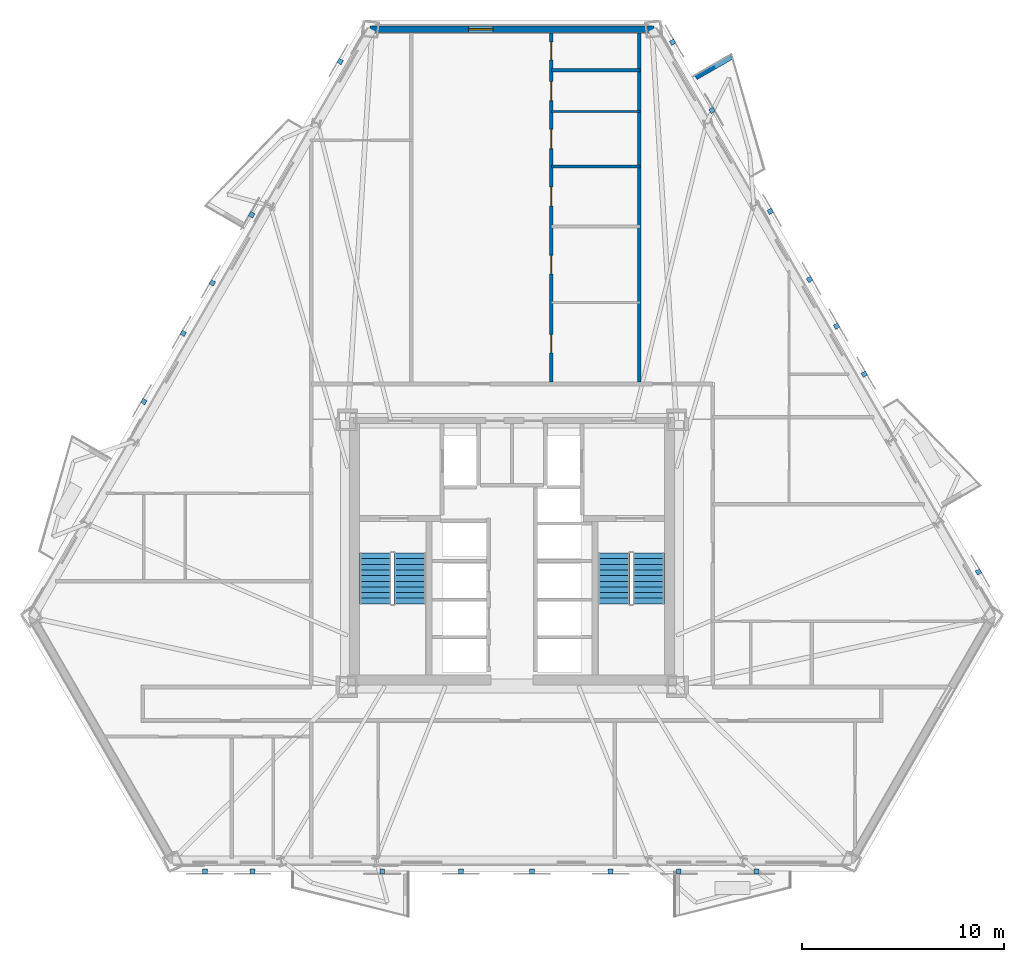
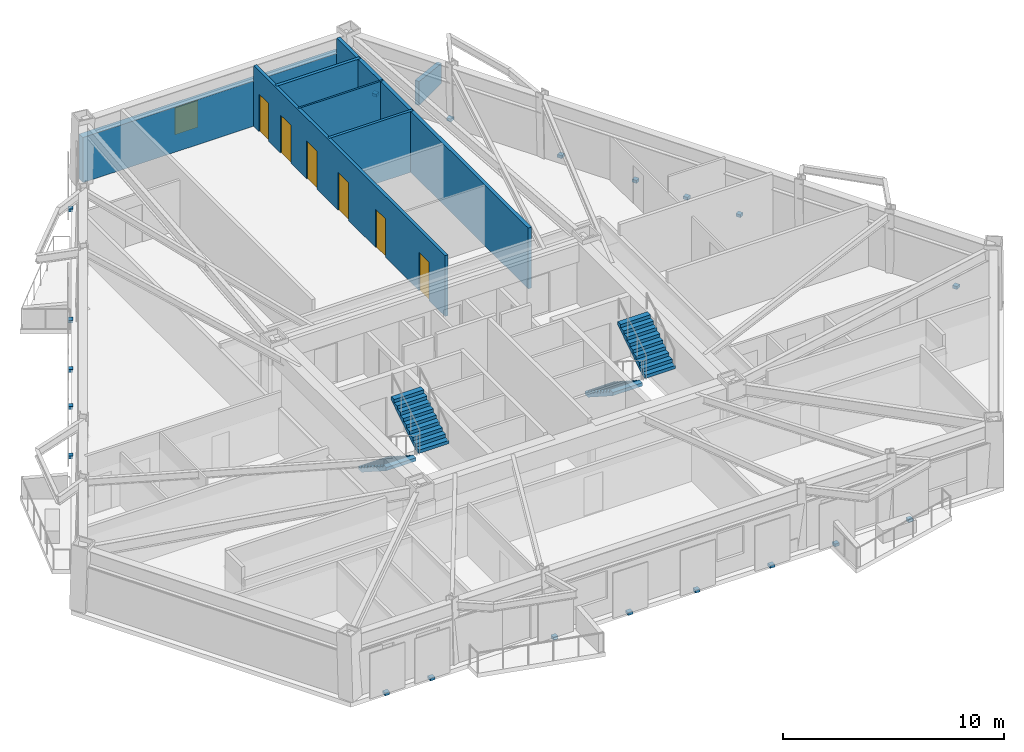
# One storey, part 6 of 10: 20 discrete accessories, 7 walls, 6 doors, 4 stair flights, 1 window, 7 openings, 2 elements without a shape of their own.
"""IFC4 building model written with IfcOpenShell, lengths in metres."""

from ifc_helpers import new_model, si_unit, direction, frame, frame_2d, origin, origin_2d, place, context, subcontext, project, spatial, polyline, rectangle, outline, extrude, material, layer, layer_set, type_object, element, fill, aggregate, save


model = new_model("IFC4")

# Units and contexts
model_context = context("Model", 3, precision=1e-05, world=origin(), true_north=direction((0.0, 1.0)))
body_context = subcontext(model_context, "Body", "Model", "MODEL_VIEW")
ifc_project = project(units=[si_unit("LENGTHUNIT", "METRE"), si_unit("AREAUNIT", "SQUARE_METRE"), si_unit("VOLUMEUNIT", "CUBIC_METRE"), si_unit("PLANEANGLEUNIT", "RADIAN"), si_unit("MASSUNIT", "GRAM", prefix="KILO")], contexts=[model_context])

# Site, building, storey
site_placement = place(None, origin())
site = spatial("IfcSite", under=ifc_project, at=site_placement, CompositionType="ELEMENT")
building_placement = place(site_placement, origin())
building = spatial("IfcBuilding", under=site, at=building_placement, Name="Oramaril Tower", CompositionType="ELEMENT")
storey_placement = place(building_placement, frame((0.0, 0.0, 59.699951171875)))
storey = spatial("IfcBuildingStorey", under=building, at=storey_placement, Name="L15", CompositionType="ELEMENT", Elevation=59.699951171875)

# Wall, opening, window
ifc_material_1 = material(Name="Warm Cream Limestone", Category="masonry")
ifc_layer_1 = layer(ifc_material_1, 0.340087890625)
ifc_layer_set_1 = layer_set([ifc_layer_1], Name="WT-EXT34")
wall_type_1 = type_object("IfcWallType", Name="WT-EXT34", PredefinedType="SOLIDWALL", material=ifc_layer_set_1)
wall_1_placement = place(storey_placement, frame((44.541748046875, 43.555908203125, 0.0), z_axis=(0.0, 0.0, 1.0), x_axis=(-1.0, 0.0, 0.0)))
wall_1 = element("IfcWall", 1, at=wall_1_placement, inside=storey, type_object=wall_type_1, Name="L15 Tower Limestone Facade Wall 5M", PredefinedType="SOLIDWALL", context=body_context, shape_type="SweptSolid", body=[
    extrude(rectangle(XDim=14.08349609375, YDim=0.340087890625, at=frame_2d((7.041748046875, 0.0))), origin(), (0.0, 0.0, 1.0), 2.494140625),
])
opening_1_placement = place(wall_1_placement, frame((7.991943359375, 0.0, 0.85009765625)))
opening_1 = element("IfcOpeningElement", 2, at=opening_1_placement, cuts=wall_1, Name="Opening WN-09", PredefinedType="OPENING", context=body_context, shape_type="SweptSolid", body=[
    extrude(rectangle(XDim=1.199951171875, YDim=1.47998046875, at=frame_2d((0.60009765625, 0.739990234375))), frame((0.0, 0.169921875, 0.0), z_axis=(0.0, -1.0, 0.0), x_axis=(1.0, 0.0, 0.0)), (0.0, 0.0, 1.0), 0.340087890625),
])
ifc_material_2 = material(Name="Coastal Low-E Insulated Glass", Category="glass")
window_type = type_object("IfcWindowType", Name="WNT-09", PartitioningType="SINGLE_PANEL", PredefinedType="WINDOW", material=ifc_material_2)
window_placement = place(opening_1_placement, origin())
window = element("IfcWindow", 3, at=window_placement, inside=storey, type_object=window_type, Name="L15 Apartment Bedroom Window WN-09", OverallHeight=1.47998046875, OverallWidth=1.199951171875, PartitioningType="SINGLE_PANEL", PredefinedType="WINDOW", context=body_context, shape_type="SweptSolid", body=[
    extrude(rectangle(XDim=1.199951171875, YDim=1.47998046875, at=frame_2d((0.60009765625, 0.739990234375))), frame((0.0, 0.030029296875, 0.0), z_axis=(0.0, -1.0, 0.0), x_axis=(1.0, 0.0, 0.0)), (0.0, 0.0, 1.0), 0.06005859375),
])
fill(opening_1, window)

# Walls
ifc_material_3 = material(Name="Concrete C40/50", Category="concrete")
ifc_layer_2 = layer(ifc_material_3, 0.22998046875)
ifc_layer_set_2 = layer_set([ifc_layer_2], Name="WT-PRP23")
wall_type_2 = type_object("IfcWallType", Name="WT-PRP23", PredefinedType="PARAPET", material=ifc_layer_set_2)
wall_2_placement = place(storey_placement, frame((46.616943359375, 41.15771484375, 0.0), z_axis=(0.0, 0.0, 1.0), x_axis=(0.866012356593, 0.500022597718, 0.0)))
element("IfcWall", 4, at=wall_2_placement, inside=storey, type_object=wall_type_2, Name="L15 Trapezoidal Balcony Frame Cheek L15-BAL-NE2-R", PredefinedType="PARAPET", context=body_context, shape_type="SweptSolid", body=[
    extrude(outline(polyline([(0.0, 0.0), (2.0419921875, 0.0), (2.0419921875, 1.10009765625), (0.0, 1.320068359375), (0.0, 0.0)])), frame((0.0, 0.114990234375, 0.0), z_axis=(0.0, -1.0, 0.0), x_axis=(1.0, 0.0, 0.0)), (0.0, 0.0, 1.0), 0.22998046875),
])
ifc_material_4 = material(Name="Acoustic Gypsum Board Partition")
ifc_layer_3 = layer(ifc_material_4, 0.10009765625)
ifc_layer_set_3 = layer_set([ifc_layer_3], Name="WT-PT10")
wall_type_3 = type_object("IfcWallType", Name="WT-PT10", PredefinedType="PARTITIONING", material=ifc_layer_set_3)
wall_3_placement = place(storey_placement, frame((39.449951171875, 39.469970703125, 0.0), z_axis=(0.0, 0.0, 1.0), x_axis=(1.0, 0.0, 0.0)))
element("IfcWall", 5, at=wall_3_placement, inside=storey, type_object=wall_type_3, Name="L15 Interior Partition PT-10", PredefinedType="PARTITIONING", context=body_context, shape_type="SweptSolid", body=[
    extrude(rectangle(XDim=4.400146484375, YDim=0.10009765625, at=frame_2d((2.2001953125, 0.0))), origin(), (0.0, 0.0, 1.0), 3.360107421875),
])
ifc_material_5 = material(Name="Acoustic Gypsum Board Partition")
ifc_layer_4 = layer(ifc_material_5, 0.139892578125)
ifc_layer_set_4 = layer_set([ifc_layer_4], Name="WT-PT14")
wall_type_4 = type_object("IfcWallType", Name="WT-PT14", PredefinedType="PARTITIONING", material=ifc_layer_set_4)
wall_4_placement = place(storey_placement, frame((39.449951171875, 36.760009765625, 0.0), z_axis=(0.0, 0.0, 1.0), x_axis=(1.0, 0.0, 0.0)))
element("IfcWall", 6, at=wall_4_placement, inside=storey, type_object=wall_type_4, Name="L15 Interior Partition PT-14", PredefinedType="PARTITIONING", context=body_context, shape_type="SweptSolid", body=[
    extrude(rectangle(XDim=4.400146484375, YDim=0.139892578125, at=frame_2d((2.2001953125, 0.0))), origin(), (0.0, 0.0, 1.0), 3.360107421875),
])
ifc_material_6 = material(Name="Acoustic Gypsum Board Partition")
ifc_layer_5 = layer(ifc_material_6, 0.159912109375)
ifc_layer_set_5 = layer_set([ifc_layer_5], Name="WT-PT16")
wall_type_5 = type_object("IfcWallType", Name="WT-PT16", PredefinedType="PARTITIONING", material=ifc_layer_set_5)
wall_5_placement = place(storey_placement, frame((39.449951171875, 41.52001953125, 0.0), z_axis=(0.0, 0.0, 1.0), x_axis=(1.0, 0.0, 0.0)))
element("IfcWall", 7, at=wall_5_placement, inside=storey, type_object=wall_type_5, Name="L15 Interior Partition PT-16", PredefinedType="PARTITIONING", context=body_context, shape_type="SweptSolid", body=[
    extrude(rectangle(XDim=4.400146484375, YDim=0.159912109375, at=frame_2d((2.2001953125, 0.0))), origin(), (0.0, 0.0, 1.0), 3.360107421875),
])

# Wall, openings, doors
wall_6_placement = place(storey_placement, frame((39.449951171875, 26.06396484375, 0.0), z_axis=(0.0, 0.0, 1.0), x_axis=(0.0, 1.0, 0.0)))
wall_6 = element("IfcWall", 8, at=wall_6_placement, inside=storey, type_object=wall_type_5, Name="L15 Interior Partition PT-16", PredefinedType="PARTITIONING", context=body_context, shape_type="SweptSolid", body=[
    extrude(rectangle(XDim=17.31787109375, YDim=0.159912109375, at=frame_2d((8.658935546875, 0.0))), origin(), (0.0, 0.0, 1.0), 3.360107421875),
])
opening_2_placement = place(wall_6_placement, frame((1.44482421875, 0.0, 0.0)))
opening_2 = element("IfcOpeningElement", 9, at=opening_2_placement, cuts=wall_6, Name="Opening D-L15-19", PredefinedType="OPENING", context=body_context, shape_type="SweptSolid", body=[
    extrude(rectangle(XDim=0.919921875, YDim=2.1201171875, at=frame_2d((0.4599609375, 1.06005859375))), frame((0.0, 0.080078125, 0.0), z_axis=(0.0, -1.0, 0.0), x_axis=(1.0, 0.0, 0.0)), (0.0, 0.0, 1.0), 0.159912109375),
])
opening_3_placement = place(wall_6_placement, frame((5.3671875, 0.0, 0.0)))
opening_3 = element("IfcOpeningElement", 10, at=opening_3_placement, cuts=wall_6, Name="Opening D-L15-20", PredefinedType="OPENING", context=body_context, shape_type="SweptSolid", body=[
    extrude(rectangle(XDim=0.919921875, YDim=2.1201171875, at=frame_2d((0.4599609375, 1.06005859375))), frame((0.0, 0.080078125, 0.0), z_axis=(0.0, -1.0, 0.0), x_axis=(1.0, 0.0, 0.0)), (0.0, 0.0, 1.0), 0.159912109375),
])
opening_4_placement = place(wall_6_placement, frame((8.73388671875, 0.0, 0.0)))
opening_4 = element("IfcOpeningElement", 11, at=opening_4_placement, cuts=wall_6, Name="Opening D-L15-21", PredefinedType="OPENING", context=body_context, shape_type="SweptSolid", body=[
    extrude(rectangle(XDim=0.949951171875, YDim=2.10009765625, at=frame_2d((0.47509765625, 1.050048828125))), frame((0.0, 0.080078125, 0.0), z_axis=(0.0, -1.0, 0.0), x_axis=(1.0, 0.0, 0.0)), (0.0, 0.0, 1.0), 0.159912109375),
])
opening_5_placement = place(wall_6_placement, frame((11.57421875, 0.0, 0.0)))
opening_5 = element("IfcOpeningElement", 12, at=opening_5_placement, cuts=wall_6, Name="Opening D-L15-22", PredefinedType="OPENING", context=body_context, shape_type="SweptSolid", body=[
    extrude(rectangle(XDim=0.949951171875, YDim=2.10009765625, at=frame_2d((0.47509765625, 1.050048828125))), frame((0.0, 0.080078125, 0.0), z_axis=(0.0, -1.0, 0.0), x_axis=(1.0, 0.0, 0.0)), (0.0, 0.0, 1.0), 0.159912109375),
])
opening_6_placement = place(wall_6_placement, frame((13.951904296875, 0.0, 0.0)))
opening_6 = element("IfcOpeningElement", 13, at=opening_6_placement, cuts=wall_6, Name="Opening D-L15-23", PredefinedType="OPENING", context=body_context, shape_type="SweptSolid", body=[
    extrude(rectangle(XDim=0.949951171875, YDim=2.10009765625, at=frame_2d((0.47509765625, 1.050048828125))), frame((0.0, 0.080078125, 0.0), z_axis=(0.0, -1.0, 0.0), x_axis=(1.0, 0.0, 0.0)), (0.0, 0.0, 1.0), 0.159912109375),
])
opening_7_placement = place(wall_6_placement, frame((15.9716796875, 0.0, 0.0)))
opening_7 = element("IfcOpeningElement", 14, at=opening_7_placement, cuts=wall_6, Name="Opening D-L15-24", PredefinedType="OPENING", context=body_context, shape_type="SweptSolid", body=[
    extrude(rectangle(XDim=0.8798828125, YDim=2.080078125, at=frame_2d((0.43994140625, 1.0400390625))), frame((0.0, 0.080078125, 0.0), z_axis=(0.0, -1.0, 0.0), x_axis=(1.0, 0.0, 0.0)), (0.0, 0.0, 1.0), 0.159912109375),
])
ifc_material_7 = material(Name="FSC Brazilian Freijo Hardwood", Category="wood")
door_type_1 = type_object("IfcDoorType", Name="DT-BATH", OperationType="NOTDEFINED", PredefinedType="DOOR", material=ifc_material_7)
door_1_placement = place(opening_7_placement, origin())
door_1 = element("IfcDoor", 15, at=door_1_placement, inside=storey, type_object=door_type_1, Name="L15 Flat L15-U8 Bathroom Door D-L15-24", OperationType="SINGLE_SWING_LEFT", OverallHeight=2.080078125, OverallWidth=0.8798828125, PredefinedType="DOOR", context=body_context, shape_type="SweptSolid", body=[
    extrude(rectangle(XDim=0.8798828125, YDim=2.080078125, at=frame_2d((0.43994140625, 1.0400390625))), frame((0.0, 0.02490234375, 0.0), z_axis=(0.0, -1.0, 0.0), x_axis=(1.0, 0.0, 0.0)), (0.0, 0.0, 1.0), 0.050048828125),
])
fill(opening_7, door_1)
ifc_material_8 = material(Name="FSC Brazilian Freijo Hardwood", Category="wood")
door_type_2 = type_object("IfcDoorType", Name="DT-BED", OperationType="NOTDEFINED", PredefinedType="DOOR", material=ifc_material_8)
door_2_placement = place(opening_2_placement, origin())
door_2 = element("IfcDoor", 16, at=door_2_placement, inside=storey, type_object=door_type_2, Name="L15 Flat L15-U8 Master Bedroom Door D-L15-19", OperationType="SINGLE_SWING_RIGHT", OverallHeight=2.1201171875, OverallWidth=0.919921875, PredefinedType="DOOR", context=body_context, shape_type="SweptSolid", body=[
    extrude(rectangle(XDim=0.919921875, YDim=2.1201171875, at=frame_2d((0.4599609375, 1.06005859375))), frame((0.0, 0.02490234375, 0.0), z_axis=(0.0, -1.0, 0.0), x_axis=(1.0, 0.0, 0.0)), (0.0, 0.0, 1.0), 0.050048828125),
])
fill(opening_2, door_2)
door_3_placement = place(opening_3_placement, origin())
door_3 = element("IfcDoor", 17, at=door_3_placement, inside=storey, type_object=door_type_2, Name="L15 Flat L15-U8 Bedroom 2 Door D-L15-20", OperationType="SINGLE_SWING_LEFT", OverallHeight=2.1201171875, OverallWidth=0.919921875, PredefinedType="DOOR", context=body_context, shape_type="SweptSolid", body=[
    extrude(rectangle(XDim=0.919921875, YDim=2.1201171875, at=frame_2d((0.4599609375, 1.06005859375))), frame((0.0, 0.02490234375, 0.0), z_axis=(0.0, -1.0, 0.0), x_axis=(1.0, 0.0, 0.0)), (0.0, 0.0, 1.0), 0.050048828125),
])
fill(opening_3, door_3)
ifc_material_9 = material(Name="FSC Brazilian Freijo Hardwood", Category="wood")
door_type_3 = type_object("IfcDoorType", Name="DT-STDY", OperationType="NOTDEFINED", PredefinedType="DOOR", material=ifc_material_9)
door_4_placement = place(opening_4_placement, origin())
door_4 = element("IfcDoor", 18, at=door_4_placement, inside=storey, type_object=door_type_3, Name="L15 Flat L15-U8 Breakfast Dining Room Door D-L15-21", OperationType="SINGLE_SWING_RIGHT", OverallHeight=2.10009765625, OverallWidth=0.949951171875, PredefinedType="DOOR", context=body_context, shape_type="SweptSolid", body=[
    extrude(rectangle(XDim=0.949951171875, YDim=2.10009765625, at=frame_2d((0.47509765625, 1.050048828125))), frame((0.0, 0.02490234375, 0.0), z_axis=(0.0, -1.0, 0.0), x_axis=(1.0, 0.0, 0.0)), (0.0, 0.0, 1.0), 0.050048828125),
])
fill(opening_4, door_4)
door_5_placement = place(opening_5_placement, origin())
door_5 = element("IfcDoor", 19, at=door_5_placement, inside=storey, type_object=door_type_3, Name="L15 Flat L15-U8 Private Dining Room Door D-L15-22", OperationType="SINGLE_SWING_LEFT", OverallHeight=2.10009765625, OverallWidth=0.949951171875, PredefinedType="DOOR", context=body_context, shape_type="SweptSolid", body=[
    extrude(rectangle(XDim=0.949951171875, YDim=2.10009765625, at=frame_2d((0.47509765625, 1.050048828125))), frame((0.0, 0.02490234375, 0.0), z_axis=(0.0, -1.0, 0.0), x_axis=(1.0, 0.0, 0.0)), (0.0, 0.0, 1.0), 0.050048828125),
])
fill(opening_5, door_5)
door_6_placement = place(opening_6_placement, origin())
door_6 = element("IfcDoor", 20, at=door_6_placement, inside=storey, type_object=door_type_3, Name="L15 Flat L15-U8 Kitchen Door D-L15-23", OperationType="SINGLE_SWING_RIGHT", OverallHeight=2.10009765625, OverallWidth=0.949951171875, PredefinedType="DOOR", context=body_context, shape_type="SweptSolid", body=[
    extrude(rectangle(XDim=0.949951171875, YDim=2.10009765625, at=frame_2d((0.47509765625, 1.050048828125))), frame((0.0, 0.02490234375, 0.0), z_axis=(0.0, -1.0, 0.0), x_axis=(1.0, 0.0, 0.0)), (0.0, 0.0, 1.0), 0.050048828125),
])
fill(opening_6, door_6)

# Wall
ifc_material_10 = material(Name="Autoclaved Cellular Concrete Block", Category="concrete")
ifc_layer_6 = layer(ifc_material_10, 0.179931640625)
ifc_layer_set_6 = layer_set([ifc_layer_6], Name="WT-PT18")
wall_type_6 = type_object("IfcWallType", Name="WT-PT18", PredefinedType="PARTITIONING", material=ifc_layer_set_6)
wall_7_placement = place(storey_placement, frame((43.800048828125, 26.06396484375, 0.0), z_axis=(0.0, 0.0, 1.0), x_axis=(0.0, 1.0, 0.0)))
element("IfcWall", 21, at=wall_7_placement, inside=storey, type_object=wall_type_6, Name="L15 Interior Partition PT-18", PredefinedType="PARTITIONING", context=body_context, shape_type="SweptSolid", body=[
    extrude(rectangle(XDim=17.31787109375, YDim=0.179931640625, at=frame_2d((8.658935546875, 0.0))), origin(), (0.0, 0.0, 1.0), 3.360107421875),
])

# Stair, stair flights
ifc_material_11 = material(Name="Concrete C50/60", Category="concrete")
stair_type = type_object("IfcStairType", Name="STT-DG-3600", PredefinedType="HALF_TURN_STAIR", material=ifc_material_11)
stair_1_placement = place(storey_placement, origin())
stair_1 = element("IfcStair", 22, at=stair_1_placement, inside=storey, type_object=stair_type, Name="L15 Protected PFP Exit Stair ST-1", PredefinedType="HALF_TURN_STAIR")
ifc_material_12 = material(Name="Concrete C50/60", Category="concrete")
stair_flight_type = type_object("IfcStairFlightType", Name="SFT-DG-3600", PredefinedType="STRAIGHT", material=ifc_material_12)
stair_flight_1_placement = place(storey_placement, frame((30.72998046875, 17.590087890625, 0.0), z_axis=(0.0, 0.0, 1.0), x_axis=(0.0, -1.0, 0.0)))
stair_flight_1 = element("IfcStairFlight", 23, at=stair_flight_1_placement, type_object=stair_flight_type, Name="ST-1 flight 1", NumberOfRisers=10, NumberOfTreads=9, PredefinedType="STRAIGHT", RiserHeight=0.18, TreadLength=0.28, context=body_context, shape_type="SweptSolid", body=[
    extrude(outline(polyline([(0.0, 0.0), (0.0, 0.179931640625), (0.280029296875, 0.179931640625), (0.280029296875, 0.360107421875), (0.56005859375, 0.360107421875), (0.56005859375, 0.5400390625), (0.840087890625, 0.5400390625), (0.840087890625, 0.719970703125), (1.1201171875, 0.719970703125), (1.1201171875, 0.89990234375), (1.39990234375, 0.89990234375), (1.39990234375, 1.080078125), (1.679931640625, 1.080078125), (1.679931640625, 1.260009765625), (1.9599609375, 1.260009765625), (1.9599609375, 1.43994140625), (2.239990234375, 1.43994140625), (2.239990234375, 1.6201171875), (2.52001953125, 1.6201171875), (2.52001953125, 1.800048828125), (2.52001953125, 1.44189453125), (0.277099609375, 0.0), (0.0, 0.0)])), frame((0.0, 0.780029296875, 0.0), z_axis=(0.0, -1.0, 0.0), x_axis=(1.0, 0.0, 0.0)), (0.0, 0.0, 1.0), 1.56005859375),
])
stair_flight_2_placement = place(storey_placement, frame((32.43994140625, 15.070068359375, 1.800048828125), z_axis=(0.0, 0.0, 1.0), x_axis=(0.0, 1.0, 0.0)))
stair_flight_2 = element("IfcStairFlight", 24, at=stair_flight_2_placement, type_object=stair_flight_type, Name="ST-1 flight 2", NumberOfRisers=10, NumberOfTreads=9, PredefinedType="STRAIGHT", RiserHeight=0.18, TreadLength=0.28, context=body_context, shape_type="SweptSolid", body=[
    extrude(outline(polyline([(0.0, 0.0), (0.0, 0.179931640625), (0.280029296875, 0.179931640625), (0.280029296875, 0.360107421875), (0.56005859375, 0.360107421875), (0.56005859375, 0.5400390625), (0.840087890625, 0.5400390625), (0.840087890625, 0.719970703125), (1.1201171875, 0.719970703125), (1.1201171875, 0.89990234375), (1.39990234375, 0.89990234375), (1.39990234375, 1.080078125), (1.679931640625, 1.080078125), (1.679931640625, 1.260009765625), (1.9599609375, 1.260009765625), (1.9599609375, 1.43994140625), (2.239990234375, 1.43994140625), (2.239990234375, 1.6201171875), (2.52001953125, 1.6201171875), (2.52001953125, 1.800048828125), (2.52001953125, 1.44189453125), (0.277099609375, 0.0), (0.0, 0.0)])), frame((0.0, 0.780029296875, 0.0), z_axis=(0.0, -1.0, 0.0), x_axis=(1.0, 0.0, 0.0)), (0.0, 0.0, 1.0), 1.56005859375),
])
aggregate(stair_1, [stair_flight_1, stair_flight_2])

stair_2_placement = place(storey_placement, origin())
stair_2 = element("IfcStair", 25, at=stair_2_placement, inside=storey, type_object=stair_type, Name="L15 Protected PFP Exit Stair ST-2", PredefinedType="HALF_TURN_STAIR")
stair_flight_3_placement = place(storey_placement, frame((42.56005859375, 17.590087890625, 0.0), z_axis=(0.0, 0.0, 1.0), x_axis=(0.0, -1.0, 0.0)))
stair_flight_3 = element("IfcStairFlight", 26, at=stair_flight_3_placement, type_object=stair_flight_type, Name="ST-2 flight 1", NumberOfRisers=10, NumberOfTreads=9, PredefinedType="STRAIGHT", RiserHeight=0.18, TreadLength=0.28, context=body_context, shape_type="SweptSolid", body=[
    extrude(outline(polyline([(0.0, 0.0), (0.0, 0.179931640625), (0.280029296875, 0.179931640625), (0.280029296875, 0.360107421875), (0.56005859375, 0.360107421875), (0.56005859375, 0.5400390625), (0.840087890625, 0.5400390625), (0.840087890625, 0.719970703125), (1.1201171875, 0.719970703125), (1.1201171875, 0.89990234375), (1.39990234375, 0.89990234375), (1.39990234375, 1.080078125), (1.679931640625, 1.080078125), (1.679931640625, 1.260009765625), (1.9599609375, 1.260009765625), (1.9599609375, 1.43994140625), (2.239990234375, 1.43994140625), (2.239990234375, 1.6201171875), (2.52001953125, 1.6201171875), (2.52001953125, 1.800048828125), (2.52001953125, 1.44189453125), (0.277099609375, 0.0), (0.0, 0.0)])), frame((0.0, 0.780029296875, 0.0), z_axis=(0.0, -1.0, 0.0), x_axis=(1.0, 0.0, 0.0)), (0.0, 0.0, 1.0), 1.56005859375),
])
stair_flight_4_placement = place(storey_placement, frame((44.27001953125, 15.070068359375, 1.800048828125), z_axis=(0.0, 0.0, 1.0), x_axis=(0.0, 1.0, 0.0)))
stair_flight_4 = element("IfcStairFlight", 27, at=stair_flight_4_placement, type_object=stair_flight_type, Name="ST-2 flight 2", NumberOfRisers=10, NumberOfTreads=9, PredefinedType="STRAIGHT", RiserHeight=0.18, TreadLength=0.28, context=body_context, shape_type="SweptSolid", body=[
    extrude(outline(polyline([(0.0, 0.0), (0.0, 0.179931640625), (0.280029296875, 0.179931640625), (0.280029296875, 0.360107421875), (0.56005859375, 0.360107421875), (0.56005859375, 0.5400390625), (0.840087890625, 0.5400390625), (0.840087890625, 0.719970703125), (1.1201171875, 0.719970703125), (1.1201171875, 0.89990234375), (1.39990234375, 0.89990234375), (1.39990234375, 1.080078125), (1.679931640625, 1.080078125), (1.679931640625, 1.260009765625), (1.9599609375, 1.260009765625), (1.9599609375, 1.43994140625), (2.239990234375, 1.43994140625), (2.239990234375, 1.6201171875), (2.52001953125, 1.6201171875), (2.52001953125, 1.800048828125), (2.52001953125, 1.44189453125), (0.277099609375, 0.0), (0.0, 0.0)])), frame((0.0, 0.780029296875, 0.0), z_axis=(0.0, -1.0, 0.0), x_axis=(1.0, 0.0, 0.0)), (0.0, 0.0, 1.0), 1.56005859375),
])
aggregate(stair_2, [stair_flight_3, stair_flight_4])

# Discrete accessories
for number, where, z_axis, x_axis, name in (
    (28, (31.069580078125, 1.793701171875, -0.14013671875), (0.0, 0.0, 1.0), (1.0, 0.0, 0.0), "L15 Solar Screen Slab Bracket"),
    (29, (34.9697265625, 1.793701171875, -0.14013671875), (0.0, 0.0, 1.0), (1.0, 0.0, 0.0), "L15 Solar Screen Slab Bracket"),
    (30, (38.4912109375, 1.793701171875, -0.14013671875), (0.0, 0.0, 1.0), (1.0, 0.0, 0.0), "L15 Solar Screen Slab Bracket"),
    (31, (42.391357421875, 1.793701171875, -0.14013671875), (0.0, 0.0, 1.0), (1.0, 0.0, 0.0), "L15 Solar Screen Slab Bracket"),
    (32, (45.765625, 1.793701171875, -0.14013671875), (0.0, 0.0, 1.0), (1.0, 0.0, 0.0), "L15 Solar Screen Slab Bracket"),
    (33, (49.6181640625, 1.793701171875, -0.14013671875), (0.0, 0.0, 1.0), (1.0, 0.0, 0.0), "L15 Solar Screen Slab Bracket"),
    (34, (22.278564453125, 1.793701171875, -0.14013671875), (0.0, 0.0, 1.0), (1.0, 0.0, 0.0), "L15 Solar Screen Slab Bracket"),
    (35, (24.635009765625, 1.793701171875, -0.14013671875), (0.0, 0.0, 1.0), (1.0, 0.0, 0.0), "L15 Solar Screen Slab Bracket"),
    (36, (60.627685546875, 16.654052734375, -0.14013671875), (0.0, 0.0, 1.0), (-0.4999984885, 0.866026276448, 0.0), "L15 Solar Screen Slab Bracket"),
    (37, (52.255859375, 31.154541015625, -0.14013671875), (0.0, 0.0, 1.0), (-0.4999984885, 0.866026276448, 0.0), "L15 Solar Screen Slab Bracket"),
    (38, (50.305908203125, 34.531982421875, -0.14013671875), (0.0, 0.0, 1.0), (-0.4999984885, 0.866026276448, 0.0), "L15 Solar Screen Slab Bracket"),
    (39, (47.41552734375, 39.538330078125, -0.14013671875), (0.0, 0.0, 1.0), (-0.4999984885, 0.866026276448, 0.0), "L15 Solar Screen Slab Bracket"),
    (40, (45.465576171875, 42.915771484375, -0.14013671875), (0.0, 0.0, 1.0), (-0.4999984885, 0.866026276448, 0.0), "L15 Solar Screen Slab Bracket"),
    (41, (54.968994140625, 26.455322265625, -0.14013671875), (0.0, 0.0, 1.0), (-0.4999984885, 0.866026276448, 0.0), "L15 Solar Screen Slab Bracket"),
    (42, (53.593017578125, 28.838623046875, -0.14013671875), (0.0, 0.0, 1.0), (-0.4999984885, 0.866026276448, 0.0), "L15 Solar Screen Slab Bracket"),
    (43, (24.595947265625, 34.36181640625, -0.14013671875), (0.0, 0.0, 1.0), (-0.4999984885, -0.866026276448, 0.0), "L15 Solar Screen Slab Bracket"),
    (44, (22.64599609375, 30.984375, -0.14013671875), (0.0, 0.0, 1.0), (-0.4999984885, -0.866026276448, 0.0), "L15 Solar Screen Slab Bracket"),
    (45, (21.199462890625, 28.47900390625, -0.14013671875), (0.0, 0.0, 1.0), (-0.4999984885, -0.866026276448, 0.0), "L15 Solar Screen Slab Bracket"),
    (46, (19.24951171875, 25.101318359375, -0.14013671875), (0.0, 0.0, 1.0), (-0.4999984885, -0.866026276448, 0.0), "L15 Solar Screen Slab Bracket"),
    (47, (28.98095703125, 41.957275390625, -0.14013671875), (0.0, 0.0, 1.0), (-0.4999984885, -0.866026276448, 0.0), "L15 Solar Screen Slab Bracket"),
):
    element("IfcDiscreteAccessory", number, at=place(storey_placement, frame(where, z_axis=z_axis, x_axis=x_axis)), inside=storey, Name=name, PredefinedType="BRACKET", context=body_context, shape_type="SweptSolid", body=[
        extrude(rectangle(XDim=0.239990234375, YDim=0.239990234375, at=origin_2d()), origin(), (0.0, 0.0, 1.0), 0.159912109375),
    ])

save(model, "model.ifc")
